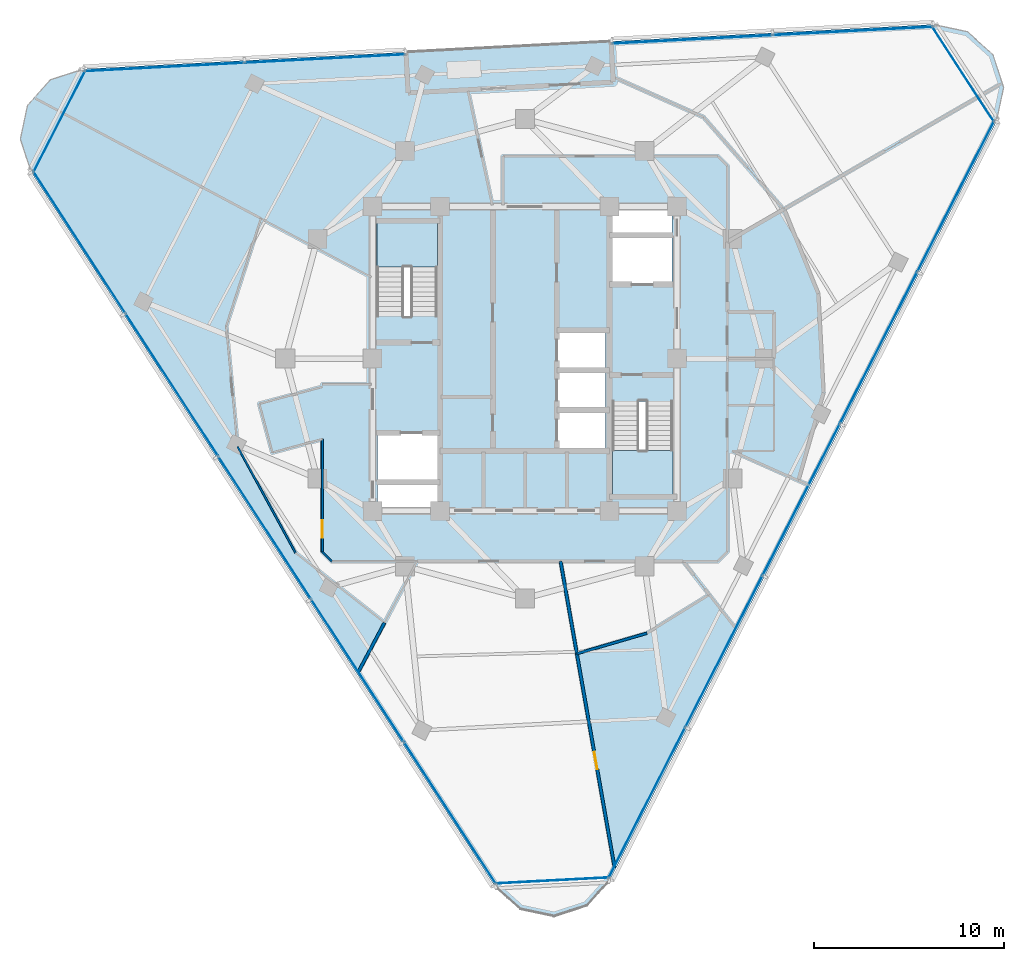
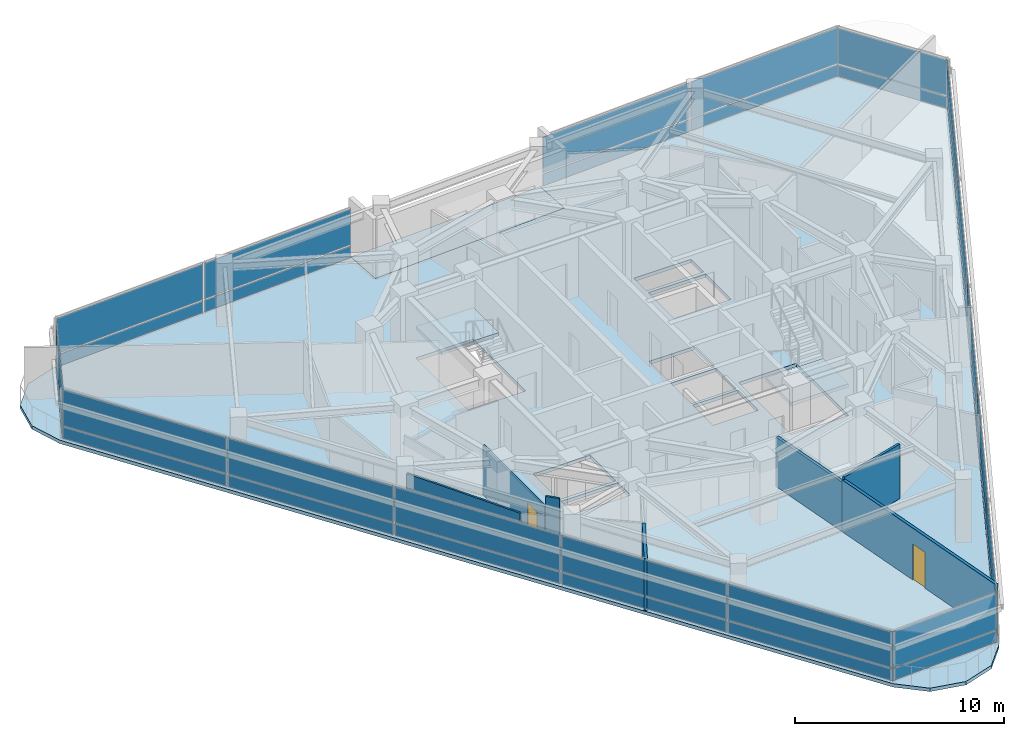
# One storey, part 7 of 15: 34 plates, 7 walls, 4 slabs, 2 doors, 2 openings, 9 elements without a shape of their own.
"""IFC4 building model written with IfcOpenShell, lengths in metres."""

import ifcopenshell
import ifcopenshell.guid

model = None  # the IFC model being written
_history = None  # IfcOwnerHistory: only IFC2X3 demands one
_inside = {}  # id of a spatial element -> (the spatial element, [elements in it])
_under = {}  # id of a project, library or spatial element -> (it, [spatial elements below it])
_declared = {}  # id of a project -> (the project, [libraries it declares])
_typed = {}  # id of a type object -> (the type object, [elements of that type])
_made_of = {}  # id of a material, layer set ... -> (it, [elements and type objects made of it])


def new_model(schema):
    """Start an empty IFC model of exactly this schema.

    Asked for "IFC4X3", IfcOpenShell would pick the latest addendum, in which some entities
    have other attributes; the version numbers below select the first issue.
    IFC2X3 requires an IfcOwnerHistory on every rooted entity: one is made here for all.
    """
    global model, _history
    if schema == "IFC4X3":
        model = ifcopenshell.file(schema_version=(4, 3, 0, 0))
    else:
        model = ifcopenshell.file(schema=schema)
    _inside.clear()
    _under.clear()
    _declared.clear()
    _typed.clear()
    _made_of.clear()
    _history = None
    if model.schema == "IFC2X3":
        org = make("IfcOrganization", Name="unknown")
        user = make(
            "IfcPersonAndOrganization",
            ThePerson=make("IfcPerson", FamilyName="unknown"),
            TheOrganization=org,
        )
        app = make(
            "IfcApplication",
            ApplicationDeveloper=org,
            Version="unknown",
            ApplicationFullName="unknown",
            ApplicationIdentifier="unknown",
        )
        _history = make(
            "IfcOwnerHistory",
            OwningUser=user,
            OwningApplication=app,
            ChangeAction="ADDED",
            CreationDate=0,
        )
    return model


def make(cls, **values):
    """One entity of the class cls with the attributes given. An attribute that is None is left unset."""
    return model.create_entity(
        cls, **{name: value for name, value in values.items() if value is not None}
    )


def rooted(cls, **values):
    """An entity with a GlobalId (a new one), such as an element, a storey or a relation."""
    return make(cls, GlobalId=ifcopenshell.guid.new(), OwnerHistory=_history, **values)


def si_unit(unit_type, name, prefix=None):
    """IfcSIUnit, for example si_unit("LENGTHUNIT", "METRE", prefix="MILLI")."""
    return make("IfcSIUnit", UnitType=unit_type, Prefix=prefix, Name=name)


def assignment(units):
    """IfcUnitAssignment: the units of a project."""
    return None if units is None else make("IfcUnitAssignment", Units=units)


def point(xyz):
    """IfcCartesianPoint."""
    return None if xyz is None else make("IfcCartesianPoint", Coordinates=xyz)


def direction(xyz):
    """IfcDirection."""
    return None if xyz is None else make("IfcDirection", DirectionRatios=xyz)


def frame(location, z_axis=None, x_axis=None):
    """IfcAxis2Placement3D, a coordinate frame: its origin and axes. An axis left out is left unset."""
    return make(
        "IfcAxis2Placement3D",
        Location=point(location),
        Axis=direction(z_axis),
        RefDirection=direction(x_axis),
    )


def frame_2d(location, x_axis=None):
    """IfcAxis2Placement2D, a coordinate frame in the plane: its origin and x axis."""
    return make(
        "IfcAxis2Placement2D", Location=point(location), RefDirection=direction(x_axis)
    )


def origin():
    """The frame at (0, 0, 0) with its axes left unset."""
    return frame((0.0, 0.0, 0.0))


def origin_2d():
    """The frame at (0, 0) in the plane with its x axis left unset."""
    return frame_2d((0.0, 0.0))


def place(relative_to, where):
    """IfcLocalPlacement: puts the frame where relative to a parent placement (None: the world)."""
    return make(
        "IfcLocalPlacement", PlacementRelTo=relative_to, RelativePlacement=where
    )


def context(
    kind, dimensions, precision=None, world=None, true_north=None, identifier=None
):
    """IfcGeometricRepresentationContext, for example the 3D "Model" context."""
    return make(
        "IfcGeometricRepresentationContext",
        ContextIdentifier=identifier,
        ContextType=kind,
        CoordinateSpaceDimension=dimensions,
        Precision=precision,
        WorldCoordinateSystem=world,
        TrueNorth=true_north,
    )


def subcontext(parent, identifier, kind, view, scale=None):
    """IfcGeometricRepresentationSubContext, for example "Body" below "Model"."""
    return make(
        "IfcGeometricRepresentationSubContext",
        ContextIdentifier=identifier,
        ContextType=kind,
        ParentContext=parent,
        TargetScale=scale,
        TargetView=view,
    )


def project(units=None, contexts=None):
    """IfcProject with its units and contexts."""
    return rooted(
        "IfcProject",
        Name="project",
        RepresentationContexts=contexts,
        UnitsInContext=assignment(units),
    )


def spatial(cls, under=None, at=None, **own):
    """A site, building, storey or space (cls), placed at a placement, below another one or the project."""
    s = rooted(cls, ObjectPlacement=at, **own)
    if under is not None:
        _under.setdefault(under.id(), (under, []))[1].append(s)
    return s


def polyline(points):
    """IfcPolyline through the points."""
    return make("IfcPolyline", Points=[point(p) for p in points])


def profile(cls, at=None, kind="AREA", **sizes):
    """A parametric profile (cls). Its sizes go by their IFC names, for example OverallWidth=200.0."""
    return make(cls, ProfileType=kind, Position=at, **sizes)


def rectangle(**sizes):
    """IfcRectangleProfileDef."""
    return profile("IfcRectangleProfileDef", **sizes)


def outline(outer, holes=None, kind="AREA"):
    """IfcArbitraryClosedProfileDef: a profile drawn as a closed curve; with holes, ...WithVoids."""
    if holes is None:
        return make("IfcArbitraryClosedProfileDef", ProfileType=kind, OuterCurve=outer)
    return make(
        "IfcArbitraryProfileDefWithVoids",
        ProfileType=kind,
        OuterCurve=outer,
        InnerCurves=holes,
    )


def extrude(swept, where, along, depth):
    """IfcExtrudedAreaSolid: the profile swept, set in the frame where, extruded along a direction by depth."""
    return make(
        "IfcExtrudedAreaSolid",
        SweptArea=swept,
        Position=where,
        ExtrudedDirection=direction(along),
        Depth=depth,
    )


def shape(context_of_items, identifier, shape_type, items):
    """IfcShapeRepresentation: the items that make up one representation, for example the "Body"."""
    return make(
        "IfcShapeRepresentation",
        ContextOfItems=context_of_items,
        RepresentationIdentifier=identifier,
        RepresentationType=shape_type,
        Items=items,
    )


def material(Name=None, Category=None):
    """IfcMaterial."""
    return make("IfcMaterial", Name=Name, Category=Category)


def layer(
    of_material, thickness, ventilated=None, Name=None, Category=None, Priority=None
):
    """IfcMaterialLayer: one layer of a wall or slab, of a material (None: an air gap)."""
    return make(
        "IfcMaterialLayer",
        Material=of_material,
        LayerThickness=thickness,
        IsVentilated=ventilated,
        Name=Name,
        Category=Category,
        Priority=Priority,
    )


def layer_set(layers, Name=None):
    """IfcMaterialLayerSet."""
    return make("IfcMaterialLayerSet", MaterialLayers=layers, LayerSetName=Name)


def made_of(thing, what):
    """Note that an element or type object is made of a material, layer set ...; save() writes the relation."""
    if what is not None:
        _made_of.setdefault(what.id(), (what, []))[1].append(thing)
    return thing


def type_object(cls, material=None, **own):
    """A type object (cls), such as IfcWallType, which elements share."""
    return made_of(rooted(cls, **own), material)


def element(
    cls,
    number,
    at=None,
    inside=None,
    cuts=None,
    type_object=None,
    material=None,
    context=None,
    identifier="Body",
    shape_type=None,
    held_by="IfcProductDefinitionShape",
    body=None,
    shapes=None,
    **own,
):
    """One element of the class cls, such as IfcWall. Its Tag is "e" and its number.

    at: its placement. inside: the storey or other place that contains it. cuts: it is an
    opening in that element (IfcRelVoidsElement). A single representation is given by context,
    identifier, shape_type and body (its items); several are given by shapes. held_by: the class
    of the entity that holds the representations. save() writes the other relations.
    """
    e = rooted(cls, Tag="e%d" % number, ObjectPlacement=at, **own)
    if body is not None:
        shapes = [shape(context, identifier, shape_type, body)]
    if shapes is not None:
        e.Representation = make(held_by, Representations=shapes)
    if inside is not None:
        _inside.setdefault(inside.id(), (inside, []))[1].append(e)
    if cuts is not None:
        rooted(
            "IfcRelVoidsElement", RelatingBuildingElement=cuts, RelatedOpeningElement=e
        )
    if type_object is not None:
        _typed.setdefault(type_object.id(), (type_object, []))[1].append(e)
    return made_of(e, material)


def fill(opening, filler):
    """IfcRelFillsElement: the door or window that sits in an opening."""
    return rooted(
        "IfcRelFillsElement",
        RelatingOpeningElement=opening,
        RelatedBuildingElement=filler,
    )


def aggregate(whole, parts):
    """IfcRelAggregates: a whole, such as a stair, and the parts it consists of."""
    return rooted("IfcRelAggregates", RelatingObject=whole, RelatedObjects=parts)


def save(model, path):
    """Write the relations noted so far, then the file.

    IfcRelAggregates (storeys below a building ...), IfcRelContainedInSpatialStructure (elements
    in a storey), IfcRelDefinesByType, IfcRelAssociatesMaterial and IfcRelDeclares: one each for
    every whole, place, type object, material and project.
    """
    for whole, parts in _under.values():
        aggregate(whole, parts)
    for where, things in _inside.values():
        rooted(
            "IfcRelContainedInSpatialStructure",
            RelatedElements=things,
            RelatingStructure=where,
        )
    for kind, things in _typed.values():
        rooted("IfcRelDefinesByType", RelatedObjects=things, RelatingType=kind)
    for what, things in _made_of.values():
        rooted("IfcRelAssociatesMaterial", RelatedObjects=things, RelatingMaterial=what)
    for by, libraries in _declared.values():
        rooted("IfcRelDeclares", RelatingContext=by, RelatedDefinitions=libraries)
    model.write(path)


model = new_model("IFC4")

# Units and contexts
model_context = context("Model", 3, precision=1e-05, world=origin(), true_north=direction((0.0, 1.0)))
body_context = subcontext(model_context, "Body", "Model", "MODEL_VIEW")
ifc_project = project(units=[si_unit("LENGTHUNIT", "METRE"), si_unit("AREAUNIT", "SQUARE_METRE"), si_unit("VOLUMEUNIT", "CUBIC_METRE"), si_unit("PLANEANGLEUNIT", "RADIAN"), si_unit("MASSUNIT", "GRAM", prefix="KILO")], contexts=[model_context])

# Site, building, storey
site_placement = place(None, origin())
site = spatial("IfcSite", under=ifc_project, at=site_placement, CompositionType="ELEMENT")
building_placement = place(site_placement, origin())
building = spatial("IfcBuilding", under=site, at=building_placement, Name="Terralouvre Media Tower", CompositionType="ELEMENT")
storey_placement = place(building_placement, frame((0.0, 0.0, 270.699951171875)))
storey = spatial("IfcBuildingStorey", under=building, at=storey_placement, Name="L70", CompositionType="ELEMENT", Elevation=270.699951171875)

# Slabs
ifc_material_1 = material(Name="Concrete C40/50", Category="concrete")
ifc_layer_1 = layer(ifc_material_1, 0.199951171875, Name="Composite Tower Floor Slab S-TYP200")
ifc_layer_set_1 = layer_set([ifc_layer_1], Name="Concrete C40/50")
slab_type_1 = type_object("IfcSlabType", Name="Composite Tower Floor Slab S-TYP200", PredefinedType="FLOOR", material=ifc_layer_set_1)
slab_1_placement = place(storey_placement, frame((0.0, 0.0, -0.199951171875), z_axis=(0.0, 0.0, 1.0), x_axis=(0.45399049974, 0.891006524188, 0.0)))
element("IfcSlab", 1, at=slab_1_placement, inside=storey, type_object=slab_type_1, Name="L70 Structural Floor Slab", PredefinedType="FLOOR", context=body_context, shape_type="SweptSolid", body=[
    extrude(outline(polyline([(25.43115234375, -11.1826171875), (16.93115234375, 3.539794921875), (15.069091796875, 2.46484375), (9.669189453125, 11.81787109375), (11.531005859375, 12.892822265625), (3.031005859375, 27.615234375), (1.75, 28.896484375), (0.0, 29.365234375), (-1.75, 28.896484375), (-3.031005859375, 27.615234375), (-25.43115234375, -11.1826171875), (-25.89990234375, -12.9326171875), (-25.43115234375, -14.6826171875), (-24.14990234375, -15.963623046875), (-22.39990234375, -16.4326171875), (22.39990234375, -16.4326171875), (24.14990234375, -15.963623046875), (25.43115234375, -14.6826171875), (25.89990234375, -12.9326171875), (25.43115234375, -11.1826171875)]), holes=[polyline([(-7.968994140625, 1.102294921875), (-9.0380859375, 0.5576171875), (-10.46826171875, 3.3642578125), (-9.399169921875, 3.908935546875), (-7.968994140625, 1.102294921875)]), polyline([(-5.60791015625, 2.305419921875), (-7.790771484375, 1.193115234375), (-9.220947265625, 3.999755859375), (-7.037841796875, 5.112060546875), (-5.60791015625, 2.305419921875)]), polyline([(-4.38037109375, -7.39453125), (0.088134765625, -5.117919921875), (1.53173828125, -7.951171875), (-2.936767578125, -10.22802734375), (-4.38037109375, -7.39453125)]), polyline([(-0.547607421875, -5.048828125), (-2.276123046875, -5.9296875), (-3.4111328125, -3.7021484375), (-1.6826171875, -2.8212890625), (-0.547607421875, -5.048828125)]), polyline([(1.323486328125, -4.095458984375), (-0.405029296875, -4.976318359375), (-1.5400390625, -2.748779296875), (0.188720703125, -1.867919921875), (1.323486328125, -4.095458984375)]), polyline([(3.194580078125, -3.14208984375), (1.466064453125, -4.02294921875), (0.3310546875, -1.79541015625), (2.059814453125, -0.91455078125), (3.194580078125, -3.14208984375)]), polyline([(4.38037109375, 7.39453125), (-0.088134765625, 5.117919921875), (-1.53173828125, 7.951171875), (2.936767578125, 10.22802734375), (4.38037109375, 7.39453125)]), polyline([(7.037841796875, -5.112060546875), (5.60791015625, -2.305419921875), (7.790771484375, -1.193115234375), (9.220947265625, -3.999755859375), (7.037841796875, -5.112060546875)]), polyline([(9.399169921875, -3.908935546875), (7.968994140625, -1.102294921875), (9.0380859375, -0.5576171875), (10.46826171875, -3.3642578125), (9.399169921875, -3.908935546875)])]), origin(), (0.0, 0.0, 1.0), 0.199951171875),
])
ifc_material_2 = material(Name="Concrete C45/55", Category="concrete")
ifc_layer_2 = layer(ifc_material_2, 0.2099609375, Name="Planted Sky-Garden External Deck S-TER210")
ifc_layer_set_2 = layer_set([ifc_layer_2], Name="Concrete C45/55")
slab_type_2 = type_object("IfcSlabType", Name="Planted Sky-Garden External Deck S-TER210", PredefinedType="FLOOR", material=ifc_layer_set_2)
slab_2_placement = place(storey_placement, frame((0.0, 0.0, -0.2099609375), z_axis=(0.0, 0.0, 1.0), x_axis=(0.45399049974, 0.891006524188, 0.0)))
element("IfcSlab", 2, at=slab_2_placement, inside=storey, type_object=slab_type_2, Name="L70 Helical Planted Sky-Garden Deck 14", PredefinedType="FLOOR", context=body_context, shape_type="SweptSolid", body=[
    extrude(outline(polyline([(16.93115234375, 3.539794921875), (11.531005859375, 12.892822265625), (9.669189453125, 11.81787109375), (15.069091796875, 2.46484375), (16.93115234375, 3.539794921875)])), origin(), (0.0, 0.0, 1.0), 0.2099609375),
])

# Stair, slab
ifc_material_3 = material(Name="Concrete C45/55", Category="concrete")
stair_type_1 = type_object("IfcStairType", Name="Dogleg Stair Assembly ST-01", PredefinedType="HALF_TURN_STAIR", material=ifc_material_3)
stair_1_placement = place(storey_placement, origin())
stair_1 = element("IfcStair", 3, at=stair_1_placement, inside=storey, type_object=stair_type_1, Name="L70 Core Pressurised Exit Stair ST-01", PredefinedType="HALF_TURN_STAIR")
ifc_material_4 = material(Name="Concrete C45/55", Category="concrete")
ifc_layer_3 = layer(ifc_material_4, 0.199951171875, Name="Reinforced Concrete Stair Half-Landing SL-LD1")
ifc_layer_set_3 = layer_set([ifc_layer_3], Name="Concrete C45/55")
slab_type_3 = type_object("IfcSlabType", Name="Reinforced Concrete Stair Half-Landing SL-LD1", PredefinedType="LANDING", material=ifc_layer_set_3)
slab_3_placement = place(storey_placement, frame((0.0, 0.0, 1.650146484375)))
slab_3 = element("IfcSlab", 4, at=slab_3_placement, type_object=slab_type_3, Name="ST-01 landing 1", PredefinedType="LANDING", context=body_context, shape_type="SweptSolid", body=[
    extrude(outline(polyline([(-4.60009765625, 4.820068359375), (-4.60009765625, 7.260009765625), (-7.780029296875, 7.260009765625), (-7.780029296875, 4.820068359375), (-4.60009765625, 4.820068359375)])), origin(), (0.0, 0.0, 1.0), 0.199951171875),
])
aggregate(stair_1, [slab_3])

ifc_material_5 = material(Name="Concrete C45/55", Category="concrete")
stair_type_2 = type_object("IfcStairType", Name="Dogleg Stair Assembly ST-02", PredefinedType="HALF_TURN_STAIR", material=ifc_material_5)
stair_2_placement = place(storey_placement, origin())
stair_2 = element("IfcStair", 5, at=stair_2_placement, inside=storey, type_object=stair_type_2, Name="L70 Core Pressurised Exit Stair ST-02", PredefinedType="HALF_TURN_STAIR")
slab_4_placement = place(storey_placement, frame((0.0, 0.0, 1.650146484375)))
slab_4 = element("IfcSlab", 6, at=slab_4_placement, type_object=slab_type_3, Name="ST-02 landing 1", PredefinedType="LANDING", context=body_context, shape_type="SweptSolid", body=[
    extrude(outline(polyline([(4.60009765625, -4.820068359375), (4.60009765625, -7.260009765625), (7.780029296875, -7.260009765625), (7.780029296875, -4.820068359375), (4.60009765625, -4.820068359375)])), origin(), (0.0, 0.0, 1.0), 0.199951171875),
])
aggregate(stair_2, [slab_4])

# Curtain wall, plates
ifc_material_6 = material(Name="Low-iron laminated double glazing with solar-control coating", Category="glass")
ifc_layer_4 = layer(ifc_material_6, 0.1650390625, Name="Rounded Wind-Corner Curved Glazing CW-04")
ifc_layer_set_4 = layer_set([ifc_layer_4], Name="Low-iron laminated double glazing with solar-control coating")
curtain_wall_type_1 = type_object("IfcCurtainWallType", Name="Rounded Wind-Corner Curved Glazing CW-04", PredefinedType="NOTDEFINED", material=ifc_layer_set_4)
curtain_wall_1_placement = place(storey_placement, origin())
curtain_wall_1 = element("IfcCurtainWall", 7, at=curtain_wall_1_placement, inside=storey, type_object=curtain_wall_type_1, Name="L70 Rounded Wind-Corner Curtain Wall C0", PredefinedType="NOTDEFINED")
ifc_material_7 = material(Name="Low-iron laminated double glazing with solar-control coating", Category="glass")
ifc_layer_5 = layer(ifc_material_7, 0.0400390625, Name="Rounded Corner Laminated Vision Panel CWP-03")
ifc_layer_set_5 = layer_set([ifc_layer_5], Name="Low-iron laminated double glazing with solar-control coating")
plate_type_1 = type_object("IfcPlateType", Name="Rounded Corner Laminated Vision Panel CWP-03", PredefinedType="CURTAIN_PANEL", material=ifc_layer_set_5)
plate_1_placement = place(storey_placement, frame((1.43798828125, -27.437744140625, 0.074951171875), z_axis=(0.0, 0.0, 1.0), x_axis=(0.998629533744, 0.05233597552, 0.0)))
plate_1 = element("IfcPlate", 8, at=plate_1_placement, type_object=plate_type_1, Name="CW-04 panel 1.1", PredefinedType="CURTAIN_PANEL", context=body_context, shape_type="SweptSolid", body=[
    extrude(rectangle(XDim=5.912109375, YDim=0.035888671875, at=origin_2d()), origin(), (0.0, 0.0, 1.0), 0.6875),
])
plate_2_placement = place(storey_placement, frame((1.43798828125, -27.437744140625, 0.837646484375), z_axis=(0.0, 0.0, 1.0), x_axis=(0.998629533744, 0.05233597552, 0.0)))
plate_2 = element("IfcPlate", 9, at=plate_2_placement, type_object=plate_type_1, Name="CW-04 panel 1.2", PredefinedType="CURTAIN_PANEL", context=body_context, shape_type="SweptSolid", body=[
    extrude(rectangle(XDim=5.912109375, YDim=0.035888671875, at=origin_2d()), origin(), (0.0, 0.0, 1.0), 2.08740234375),
])
aggregate(curtain_wall_1, [plate_1, plate_2])

curtain_wall_2_placement = place(storey_placement, origin())
curtain_wall_2 = element("IfcCurtainWall", 10, at=curtain_wall_2_placement, inside=storey, type_object=curtain_wall_type_1, Name="L70 Rounded Wind-Corner Curtain Wall C1", PredefinedType="NOTDEFINED")
plate_3_placement = place(storey_placement, frame((23.042724609375, 14.964111328125, 0.074951171875), z_axis=(0.0, 0.0, 1.0), x_axis=(-0.544639197097, 0.838670462688, 0.0)))
plate_3 = element("IfcPlate", 11, at=plate_3_placement, type_object=plate_type_1, Name="CW-04 panel 1.1", PredefinedType="CURTAIN_PANEL", context=body_context, shape_type="SweptSolid", body=[
    extrude(rectangle(XDim=5.912109375, YDim=0.035888671875, at=origin_2d()), origin(), (0.0, 0.0, 1.0), 0.6875),
])
plate_4_placement = place(storey_placement, frame((23.042724609375, 14.964111328125, 0.837646484375), z_axis=(0.0, 0.0, 1.0), x_axis=(-0.544639197097, 0.838670462688, 0.0)))
plate_4 = element("IfcPlate", 12, at=plate_4_placement, type_object=plate_type_1, Name="CW-04 panel 1.2", PredefinedType="CURTAIN_PANEL", context=body_context, shape_type="SweptSolid", body=[
    extrude(rectangle(XDim=5.912109375, YDim=0.035888671875, at=origin_2d()), origin(), (0.0, 0.0, 1.0), 2.08740234375),
])
aggregate(curtain_wall_2, [plate_3, plate_4])

curtain_wall_3_placement = place(storey_placement, origin())
curtain_wall_3 = element("IfcCurtainWall", 13, at=curtain_wall_3_placement, inside=storey, type_object=curtain_wall_type_1, Name="L70 Rounded Wind-Corner Curtain Wall C2", PredefinedType="NOTDEFINED")
plate_5_placement = place(storey_placement, frame((-24.480712890625, 12.4736328125, 0.074951171875), z_axis=(0.0, 0.0, 1.0), x_axis=(-0.453990349937, -0.891006600517, 0.0)))
plate_5 = element("IfcPlate", 14, at=plate_5_placement, type_object=plate_type_1, Name="CW-04 panel 1.1", PredefinedType="CURTAIN_PANEL", context=body_context, shape_type="SweptSolid", body=[
    extrude(rectangle(XDim=5.912109375, YDim=0.035888671875, at=origin_2d()), origin(), (0.0, 0.0, 1.0), 0.6875),
])
plate_6_placement = place(storey_placement, frame((-24.480712890625, 12.4736328125, 0.837646484375), z_axis=(0.0, 0.0, 1.0), x_axis=(-0.453990349937, -0.891006600517, 0.0)))
plate_6 = element("IfcPlate", 15, at=plate_6_placement, type_object=plate_type_1, Name="CW-04 panel 1.2", PredefinedType="CURTAIN_PANEL", context=body_context, shape_type="SweptSolid", body=[
    extrude(rectangle(XDim=5.912109375, YDim=0.035888671875, at=origin_2d()), origin(), (0.0, 0.0, 1.0), 2.08740234375),
])
aggregate(curtain_wall_3, [plate_5, plate_6])

ifc_material_8 = material(Name="Low-iron laminated double glazing with solar-control coating", Category="glass")
ifc_layer_6 = layer(ifc_material_8, 0.1650390625, Name="Upper Executive Tower Curtain Wall CW-05")
ifc_layer_set_6 = layer_set([ifc_layer_6], Name="Low-iron laminated double glazing with solar-control coating")
curtain_wall_type_2 = type_object("IfcCurtainWallType", Name="Upper Executive Tower Curtain Wall CW-05", PredefinedType="NOTDEFINED", material=ifc_layer_set_6)
curtain_wall_4_placement = place(storey_placement, origin())
curtain_wall_4 = element("IfcCurtainWall", 16, at=curtain_wall_4_placement, inside=storey, type_object=curtain_wall_type_2, Name="L70 Facade Curtain Wall F0", PredefinedType="NOTDEFINED")
ifc_material_9 = material(Name="Low-iron laminated double glazing with solar-control coating", Category="glass")
ifc_layer_7 = layer(ifc_material_9, 0.035888671875, Name="Vision Double-Glazed Unit CWP-01")
ifc_layer_set_7 = layer_set([ifc_layer_7], Name="Low-iron laminated double glazing with solar-control coating")
plate_type_2 = type_object("IfcPlateType", Name="Vision Double-Glazed Unit CWP-01", PredefinedType="CURTAIN_PANEL", material=ifc_layer_set_7)
plate_7_placement = place(storey_placement, frame((6.40771484375, -23.35595703125, 0.074951171875), z_axis=(0.0, 0.0, 1.0), x_axis=(0.45399044259, 0.891006553308, 0.0)))
plate_7 = element("IfcPlate", 17, at=plate_7_placement, type_object=plate_type_2, Name="CW-05 panel 1.1", PredefinedType="CURTAIN_PANEL", context=body_context, shape_type="SweptSolid", body=[
    extrude(rectangle(XDim=8.847412109375, YDim=0.035888671875, at=origin_2d()), origin(), (0.0, 0.0, 1.0), 0.6875),
])
plate_8_placement = place(storey_placement, frame((6.40771484375, -23.35595703125, 0.837646484375), z_axis=(0.0, 0.0, 1.0), x_axis=(0.45399044259, 0.891006553308, 0.0)))
plate_8 = element("IfcPlate", 18, at=plate_8_placement, type_object=plate_type_2, Name="CW-05 panel 1.2", PredefinedType="CURTAIN_PANEL", context=body_context, shape_type="SweptSolid", body=[
    extrude(rectangle(XDim=8.847412109375, YDim=0.035888671875, at=origin_2d()), origin(), (0.0, 0.0, 1.0), 2.08740234375),
])
plate_9_placement = place(storey_placement, frame((10.467041015625, -15.38916015625, 0.074951171875), z_axis=(0.0, 0.0, 1.0), x_axis=(0.45399044259, 0.891006553308, 0.0)))
plate_9 = element("IfcPlate", 19, at=plate_9_placement, type_object=plate_type_2, Name="CW-05 panel 2.1", PredefinedType="CURTAIN_PANEL", context=body_context, shape_type="SweptSolid", body=[
    extrude(rectangle(XDim=8.885009765625, YDim=0.035888671875, at=origin_2d()), origin(), (0.0, 0.0, 1.0), 0.6875),
])
plate_10_placement = place(storey_placement, frame((10.467041015625, -15.38916015625, 0.837646484375), z_axis=(0.0, 0.0, 1.0), x_axis=(0.45399044259, 0.891006553308, 0.0)))
plate_10 = element("IfcPlate", 20, at=plate_10_placement, type_object=plate_type_2, Name="CW-05 panel 2.2", PredefinedType="CURTAIN_PANEL", context=body_context, shape_type="SweptSolid", body=[
    extrude(rectangle(XDim=8.885009765625, YDim=0.035888671875, at=origin_2d()), origin(), (0.0, 0.0, 1.0), 2.08740234375),
])
plate_11_placement = place(storey_placement, frame((14.53466796875, -7.40576171875, 0.074951171875), z_axis=(0.0, 0.0, 1.0), x_axis=(0.45399044259, 0.891006553308, 0.0)))
plate_11 = element("IfcPlate", 21, at=plate_11_placement, type_object=plate_type_2, Name="CW-05 panel 3.1", PredefinedType="CURTAIN_PANEL", context=body_context, shape_type="SweptSolid", body=[
    extrude(rectangle(XDim=8.885009765625, YDim=0.035888671875, at=origin_2d()), origin(), (0.0, 0.0, 1.0), 0.6875),
])
plate_12_placement = place(storey_placement, frame((14.53466796875, -7.40576171875, 0.837646484375), z_axis=(0.0, 0.0, 1.0), x_axis=(0.45399044259, 0.891006553308, 0.0)))
plate_12 = element("IfcPlate", 22, at=plate_12_placement, type_object=plate_type_2, Name="CW-05 panel 3.2", PredefinedType="CURTAIN_PANEL", context=body_context, shape_type="SweptSolid", body=[
    extrude(rectangle(XDim=8.885009765625, YDim=0.035888671875, at=origin_2d()), origin(), (0.0, 0.0, 1.0), 2.08740234375),
])
plate_13_placement = place(storey_placement, frame((18.6025390625, 0.57763671875, 0.074951171875), z_axis=(0.0, 0.0, 1.0), x_axis=(0.45399044259, 0.891006553308, 0.0)))
plate_13 = element("IfcPlate", 23, at=plate_13_placement, type_object=plate_type_2, Name="CW-05 panel 4.1", PredefinedType="CURTAIN_PANEL", context=body_context, shape_type="SweptSolid", body=[
    extrude(rectangle(XDim=8.885009765625, YDim=0.035888671875, at=origin_2d()), origin(), (0.0, 0.0, 1.0), 0.6875),
])
plate_14_placement = place(storey_placement, frame((18.6025390625, 0.57763671875, 0.837646484375), z_axis=(0.0, 0.0, 1.0), x_axis=(0.45399044259, 0.891006553308, 0.0)))
plate_14 = element("IfcPlate", 24, at=plate_14_placement, type_object=plate_type_2, Name="CW-05 panel 4.2", PredefinedType="CURTAIN_PANEL", context=body_context, shape_type="SweptSolid", body=[
    extrude(rectangle(XDim=8.885009765625, YDim=0.035888671875, at=origin_2d()), origin(), (0.0, 0.0, 1.0), 2.08740234375),
])
plate_15_placement = place(storey_placement, frame((22.66162109375, 8.54443359375, 0.074951171875), z_axis=(0.0, 0.0, 1.0), x_axis=(0.45399044259, 0.891006553308, 0.0)))
plate_15 = element("IfcPlate", 25, at=plate_15_placement, type_object=plate_type_2, Name="CW-05 panel 5.1", PredefinedType="CURTAIN_PANEL", context=body_context, shape_type="SweptSolid", body=[
    extrude(rectangle(XDim=8.847412109375, YDim=0.035888671875, at=origin_2d()), origin(), (0.0, 0.0, 1.0), 0.6875),
])
plate_16_placement = place(storey_placement, frame((22.66162109375, 8.54443359375, 0.837646484375), z_axis=(0.0, 0.0, 1.0), x_axis=(0.45399044259, 0.891006553308, 0.0)))
plate_16 = element("IfcPlate", 26, at=plate_16_placement, type_object=plate_type_2, Name="CW-05 panel 5.2", PredefinedType="CURTAIN_PANEL", context=body_context, shape_type="SweptSolid", body=[
    extrude(rectangle(XDim=8.847412109375, YDim=0.035888671875, at=origin_2d()), origin(), (0.0, 0.0, 1.0), 2.08740234375),
])
aggregate(curtain_wall_4, [plate_7, plate_8, plate_9, plate_10, plate_11, plate_12, plate_13, plate_14, plate_15, plate_16])

curtain_wall_5_placement = place(storey_placement, origin())
curtain_wall_5 = element("IfcCurtainWall", 27, at=curtain_wall_5_placement, inside=storey, type_object=curtain_wall_type_2, Name="L70 Left Flank Curtain Wall F1", PredefinedType="NOTDEFINED")
plate_17_placement = place(storey_placement, frame((17.252685546875, 17.2392578125, 0.074951171875), z_axis=(0.0, 0.0, 1.0), x_axis=(-0.998629509147, -0.052336444858, 0.0)))
plate_17 = element("IfcPlate", 28, at=plate_17_placement, type_object=plate_type_2, Name="CW-05 panel 1.1", PredefinedType="CURTAIN_PANEL", context=body_context, shape_type="SweptSolid", body=[
    extrude(rectangle(XDim=8.387451171875, YDim=0.035888671875, at=origin_2d()), origin(), (0.0, 0.0, 1.0), 0.6875),
])
plate_18_placement = place(storey_placement, frame((17.252685546875, 17.2392578125, 0.837646484375), z_axis=(0.0, 0.0, 1.0), x_axis=(-0.998629509147, -0.052336444858, 0.0)))
plate_18 = element("IfcPlate", 29, at=plate_18_placement, type_object=plate_type_2, Name="CW-05 panel 1.2", PredefinedType="CURTAIN_PANEL", context=body_context, shape_type="SweptSolid", body=[
    extrude(rectangle(XDim=8.387451171875, YDim=0.035888671875, at=origin_2d()), origin(), (0.0, 0.0, 1.0), 2.08740234375),
])
plate_19_placement = place(storey_placement, frame((8.8017578125, 16.79638671875, 0.074951171875), z_axis=(0.0, 0.0, 1.0), x_axis=(-0.998629509147, -0.052336444858, 0.0)))
plate_19 = element("IfcPlate", 30, at=plate_19_placement, type_object=plate_type_2, Name="CW-05 panel 2.1", PredefinedType="CURTAIN_PANEL", context=body_context, shape_type="SweptSolid", body=[
    extrude(rectangle(XDim=8.387451171875, YDim=0.035888671875, at=origin_2d()), origin(), (0.0, 0.0, 1.0), 0.6875),
])
plate_20_placement = place(storey_placement, frame((8.8017578125, 16.79638671875, 0.837646484375), z_axis=(0.0, 0.0, 1.0), x_axis=(-0.998629509147, -0.052336444858, 0.0)))
plate_20 = element("IfcPlate", 31, at=plate_20_placement, type_object=plate_type_2, Name="CW-05 panel 2.2", PredefinedType="CURTAIN_PANEL", context=body_context, shape_type="SweptSolid", body=[
    extrude(rectangle(XDim=8.387451171875, YDim=0.035888671875, at=origin_2d()), origin(), (0.0, 0.0, 1.0), 2.08740234375),
])
aggregate(curtain_wall_5, [plate_17, plate_18, plate_19, plate_20])

curtain_wall_6_placement = place(storey_placement, origin())
curtain_wall_6 = element("IfcCurtainWall", 32, at=curtain_wall_6_placement, inside=storey, type_object=curtain_wall_type_2, Name="L70 Right Flank Curtain Wall F1", PredefinedType="NOTDEFINED")
plate_21_placement = place(storey_placement, frame((-10.50927734375, 15.7841796875, 0.074951171875), z_axis=(0.0, 0.0, 1.0), x_axis=(-0.998629536668, -0.052335919728, 0.0)))
plate_21 = element("IfcPlate", 33, at=plate_21_placement, type_object=plate_type_2, Name="CW-05 panel 1.1", PredefinedType="CURTAIN_PANEL", context=body_context, shape_type="SweptSolid", body=[
    extrude(rectangle(XDim=8.387451171875, YDim=0.035888671875, at=origin_2d()), origin(), (0.0, 0.0, 1.0), 0.6875),
])
plate_22_placement = place(storey_placement, frame((-10.50927734375, 15.7841796875, 0.837646484375), z_axis=(0.0, 0.0, 1.0), x_axis=(-0.998629536668, -0.052335919728, 0.0)))
plate_22 = element("IfcPlate", 34, at=plate_22_placement, type_object=plate_type_2, Name="CW-05 panel 1.2", PredefinedType="CURTAIN_PANEL", context=body_context, shape_type="SweptSolid", body=[
    extrude(rectangle(XDim=8.387451171875, YDim=0.035888671875, at=origin_2d()), origin(), (0.0, 0.0, 1.0), 2.08740234375),
])
plate_23_placement = place(storey_placement, frame((-18.960205078125, 15.34130859375, 0.074951171875), z_axis=(0.0, 0.0, 1.0), x_axis=(-0.998629536668, -0.052335919728, 0.0)))
plate_23 = element("IfcPlate", 35, at=plate_23_placement, type_object=plate_type_2, Name="CW-05 panel 2.1", PredefinedType="CURTAIN_PANEL", context=body_context, shape_type="SweptSolid", body=[
    extrude(rectangle(XDim=8.387451171875, YDim=0.035888671875, at=origin_2d()), origin(), (0.0, 0.0, 1.0), 0.6875),
])
plate_24_placement = place(storey_placement, frame((-18.960205078125, 15.34130859375, 0.837646484375), z_axis=(0.0, 0.0, 1.0), x_axis=(-0.998629536668, -0.052335919728, 0.0)))
plate_24 = element("IfcPlate", 36, at=plate_24_placement, type_object=plate_type_2, Name="CW-05 panel 2.2", PredefinedType="CURTAIN_PANEL", context=body_context, shape_type="SweptSolid", body=[
    extrude(rectangle(XDim=8.387451171875, YDim=0.035888671875, at=origin_2d()), origin(), (0.0, 0.0, 1.0), 2.08740234375),
])
aggregate(curtain_wall_6, [plate_21, plate_22, plate_23, plate_24])

curtain_wall_7_placement = place(storey_placement, origin())
curtain_wall_7 = element("IfcCurtainWall", 37, at=curtain_wall_7_placement, inside=storey, type_object=curtain_wall_type_2, Name="L70 Facade Curtain Wall F2", PredefinedType="NOTDEFINED")
plate_25_placement = place(storey_placement, frame((-23.4306640625, 6.128662109375, 0.074951171875), z_axis=(0.0, 0.0, 1.0), x_axis=(0.544639069077, -0.838670545826, 0.0)))
plate_25 = element("IfcPlate", 38, at=plate_25_placement, type_object=plate_type_2, Name="CW-05 panel 1.1", PredefinedType="CURTAIN_PANEL", context=body_context, shape_type="SweptSolid", body=[
    extrude(rectangle(XDim=8.847412109375, YDim=0.035888671875, at=origin_2d()), origin(), (0.0, 0.0, 1.0), 0.6875),
])
plate_26_placement = place(storey_placement, frame((-23.4306640625, 6.128662109375, 0.837646484375), z_axis=(0.0, 0.0, 1.0), x_axis=(0.544639069077, -0.838670545826, 0.0)))
plate_26 = element("IfcPlate", 39, at=plate_26_placement, type_object=plate_type_2, Name="CW-05 panel 1.2", PredefinedType="CURTAIN_PANEL", context=body_context, shape_type="SweptSolid", body=[
    extrude(rectangle(XDim=8.847412109375, YDim=0.035888671875, at=origin_2d()), origin(), (0.0, 0.0, 1.0), 2.08740234375),
])
plate_27_placement = place(storey_placement, frame((-18.560791015625, -1.3701171875, 0.074951171875), z_axis=(0.0, 0.0, 1.0), x_axis=(0.544639069077, -0.838670545826, 0.0)))
plate_27 = element("IfcPlate", 40, at=plate_27_placement, type_object=plate_type_2, Name="CW-05 panel 2.1", PredefinedType="CURTAIN_PANEL", context=body_context, shape_type="SweptSolid", body=[
    extrude(rectangle(XDim=8.885009765625, YDim=0.035888671875, at=origin_2d()), origin(), (0.0, 0.0, 1.0), 0.6875),
])
plate_28_placement = place(storey_placement, frame((-18.560791015625, -1.3701171875, 0.837646484375), z_axis=(0.0, 0.0, 1.0), x_axis=(0.544639069077, -0.838670545826, 0.0)))
plate_28 = element("IfcPlate", 41, at=plate_28_placement, type_object=plate_type_2, Name="CW-05 panel 2.2", PredefinedType="CURTAIN_PANEL", context=body_context, shape_type="SweptSolid", body=[
    extrude(rectangle(XDim=8.885009765625, YDim=0.035888671875, at=origin_2d()), origin(), (0.0, 0.0, 1.0), 2.08740234375),
])
plate_29_placement = place(storey_placement, frame((-13.680908203125, -8.884521484375, 0.074951171875), z_axis=(0.0, 0.0, 1.0), x_axis=(0.544639069077, -0.838670545826, 0.0)))
plate_29 = element("IfcPlate", 42, at=plate_29_placement, type_object=plate_type_2, Name="CW-05 panel 3.1", PredefinedType="CURTAIN_PANEL", context=body_context, shape_type="SweptSolid", body=[
    extrude(rectangle(XDim=8.885009765625, YDim=0.035888671875, at=origin_2d()), origin(), (0.0, 0.0, 1.0), 0.6875),
])
plate_30_placement = place(storey_placement, frame((-13.680908203125, -8.884521484375, 0.837646484375), z_axis=(0.0, 0.0, 1.0), x_axis=(0.544639069077, -0.838670545826, 0.0)))
plate_30 = element("IfcPlate", 43, at=plate_30_placement, type_object=plate_type_2, Name="CW-05 panel 3.2", PredefinedType="CURTAIN_PANEL", context=body_context, shape_type="SweptSolid", body=[
    extrude(rectangle(XDim=8.885009765625, YDim=0.035888671875, at=origin_2d()), origin(), (0.0, 0.0, 1.0), 2.08740234375),
])
plate_31_placement = place(storey_placement, frame((-8.801025390625, -16.39892578125, 0.074951171875), z_axis=(0.0, 0.0, 1.0), x_axis=(0.544639069077, -0.838670545826, 0.0)))
plate_31 = element("IfcPlate", 44, at=plate_31_placement, type_object=plate_type_2, Name="CW-05 panel 4.1", PredefinedType="CURTAIN_PANEL", context=body_context, shape_type="SweptSolid", body=[
    extrude(rectangle(XDim=8.885009765625, YDim=0.035888671875, at=origin_2d()), origin(), (0.0, 0.0, 1.0), 0.6875),
])
plate_32_placement = place(storey_placement, frame((-8.801025390625, -16.39892578125, 0.837646484375), z_axis=(0.0, 0.0, 1.0), x_axis=(0.544639069077, -0.838670545826, 0.0)))
plate_32 = element("IfcPlate", 45, at=plate_32_placement, type_object=plate_type_2, Name="CW-05 panel 4.2", PredefinedType="CURTAIN_PANEL", context=body_context, shape_type="SweptSolid", body=[
    extrude(rectangle(XDim=8.885009765625, YDim=0.035888671875, at=origin_2d()), origin(), (0.0, 0.0, 1.0), 2.08740234375),
])
plate_33_placement = place(storey_placement, frame((-3.93115234375, -23.897705078125, 0.074951171875), z_axis=(0.0, 0.0, 1.0), x_axis=(0.544639069077, -0.838670545826, 0.0)))
plate_33 = element("IfcPlate", 46, at=plate_33_placement, type_object=plate_type_2, Name="CW-05 panel 5.1", PredefinedType="CURTAIN_PANEL", context=body_context, shape_type="SweptSolid", body=[
    extrude(rectangle(XDim=8.847412109375, YDim=0.035888671875, at=origin_2d()), origin(), (0.0, 0.0, 1.0), 0.6875),
])
plate_34_placement = place(storey_placement, frame((-3.93115234375, -23.897705078125, 0.837646484375), z_axis=(0.0, 0.0, 1.0), x_axis=(0.544639069077, -0.838670545826, 0.0)))
plate_34 = element("IfcPlate", 47, at=plate_34_placement, type_object=plate_type_2, Name="CW-05 panel 5.2", PredefinedType="CURTAIN_PANEL", context=body_context, shape_type="SweptSolid", body=[
    extrude(rectangle(XDim=8.847412109375, YDim=0.035888671875, at=origin_2d()), origin(), (0.0, 0.0, 1.0), 2.08740234375),
])
aggregate(curtain_wall_7, [plate_25, plate_26, plate_27, plate_28, plate_29, plate_30, plate_31, plate_32, plate_33, plate_34])

# Wall, opening, door
ifc_material_10 = material(Name="Low-iron laminated double glazing with solar-control coating", Category="glass")
ifc_layer_8 = layer(ifc_material_10, 0.10009765625, Name="Demountable Glazed Office Partition PT-GL100")
ifc_layer_set_8 = layer_set([ifc_layer_8], Name="Low-iron laminated double glazing with solar-control coating")
wall_type_1 = type_object("IfcWallType", Name="Demountable Glazed Office Partition PT-GL100", PredefinedType="MOVABLE", material=ifc_layer_set_8)
wall_1_placement = place(storey_placement, frame((-10.64990234375, -4.22509765625, 0.0), z_axis=(0.0, 0.0, 1.0), x_axis=(0.0, -1.0, 0.0)))
wall_1 = element("IfcWall", 48, at=wall_1_placement, inside=storey, type_object=wall_type_1, Name="L70 Interior Partition 005", PredefinedType="MOVABLE", context=body_context, shape_type="SweptSolid", body=[
    extrude(rectangle(XDim=5.9248046875, YDim=0.10009765625, at=frame_2d((2.96240234375, 0.0))), origin(), (0.0, 0.0, 1.0), 2.885009765625),
])
opening_1_placement = place(wall_1_placement, frame((4.280029296875, 0.0, 0.0)))
opening_1 = element("IfcOpeningElement", 49, at=opening_1_placement, cuts=wall_1, Name="Opening ID-03-92X210", PredefinedType="OPENING", context=body_context, shape_type="SweptSolid", body=[
    extrude(rectangle(XDim=0.919921875, YDim=2.10009765625, at=frame_2d((0.4599609375, 1.050048828125))), frame((0.0, 0.06005859375, 0.0), z_axis=(0.0, -1.0, 0.0), x_axis=(1.0, 0.0, 0.0)), (0.0, 0.0, 1.0), 0.1201171875),
])
ifc_material_11 = material(Name="Engineered hardwood acoustic timber leaf", Category="wood")
door_type = type_object("IfcDoorType", Name="Accessible Restroom and Suite Door ID-03 (920x2100)", OperationType="NOTDEFINED", PredefinedType="DOOR", material=ifc_material_11)
door_1_placement = place(opening_1_placement, origin())
door_1 = element("IfcDoor", 50, at=door_1_placement, inside=storey, type_object=door_type, Name="L70 Script Readout Seminar Room 1 Door", OperationType="SINGLE_SWING_RIGHT", OverallHeight=2.10009765625, OverallWidth=0.919921875, PredefinedType="DOOR", context=body_context, shape_type="SweptSolid", body=[
    extrude(rectangle(XDim=0.919921875, YDim=2.10009765625, at=frame_2d((0.4599609375, 1.050048828125))), frame((0.0, 0.02490234375, 0.0), z_axis=(0.0, -1.0, 0.0), x_axis=(1.0, 0.0, 0.0)), (0.0, 0.0, 1.0), 0.050048828125),
])
fill(opening_1, door_1)

# Walls
wall_2_placement = place(storey_placement, frame((-10.64990234375, -10.14990234375, 0.0), z_axis=(0.0, 0.0, 1.0), x_axis=(0.707106781187, -0.707106781187, 0.0)))
element("IfcWall", 51, at=wall_2_placement, inside=storey, type_object=wall_type_1, Name="L70 Interior Partition 006", PredefinedType="MOVABLE", context=body_context, shape_type="SweptSolid", body=[
    extrude(rectangle(XDim=0.70703125, YDim=0.10009765625, at=frame_2d((0.353515625, 0.0))), origin(), (0.0, 0.0, 1.0), 3.5),
])
wall_3_placement = place(storey_placement, frame((-15.110107421875, -4.618896484375, 0.0), z_axis=(0.0, 0.0, 1.0), x_axis=(0.47908041906, -0.877771013461, 0.0)))
element("IfcWall", 52, at=wall_3_placement, inside=storey, type_object=wall_type_1, Name="L70 Interior Partition 025", PredefinedType="MOVABLE", context=body_context, shape_type="SweptSolid", body=[
    extrude(rectangle(XDim=6.368408203125, YDim=0.10009765625, at=frame_2d((3.18408203125, 0.0))), origin(), (0.0, 0.0, 1.0), 3.03515625),
])
ifc_material_12 = material(Name="Fire-rated gypsum board drywall partition")
ifc_layer_9 = layer(ifc_material_12, 0.135009765625, Name="Newsroom Acoustic Partition PT-135")
ifc_layer_set_9 = layer_set([ifc_layer_9], Name="Fire-rated gypsum board drywall partition")
wall_type_2 = type_object("IfcWallType", Name="Newsroom Acoustic Partition PT-135", PredefinedType="PARTITIONING", material=ifc_layer_set_9)
wall_4_placement = place(storey_placement, frame((6.426025390625, -14.43408203125, 0.0), z_axis=(0.0, 0.0, 1.0), x_axis=(-0.960041241254, -0.279858562654, 0.0)))
element("IfcWall", 53, at=wall_4_placement, inside=storey, type_object=wall_type_2, Name="L70 Interior Partition 031", PredefinedType="PARTITIONING", context=body_context, shape_type="SweptSolid", body=[
    extrude(rectangle(XDim=3.844482421875, YDim=0.135009765625, at=frame_2d((1.92236328125, 0.0))), origin(), (0.0, 0.0, 1.0), 3.18505859375),
])

# Wall, opening, door
ifc_material_13 = material(Name="Fire-rated gypsum board drywall partition")
ifc_layer_10 = layer(ifc_material_13, 0.159912109375, Name="Studio Acoustic Rated Partition PT-160")
ifc_layer_set_10 = layer_set([ifc_layer_10], Name="Fire-rated gypsum board drywall partition")
wall_type_3 = type_object("IfcWallType", Name="Studio Acoustic Rated Partition PT-160", PredefinedType="PARTITIONING", material=ifc_layer_set_10)
wall_5_placement = place(storey_placement, frame((4.718505859375, -26.75927734375, 0.0), z_axis=(0.0, 0.0, 1.0), x_axis=(-0.173635361328, 0.984810012793, 0.0)))
wall_5 = element("IfcWall", 54, at=wall_5_placement, inside=storey, type_object=wall_type_3, Name="L70 Interior Partition 027", PredefinedType="PARTITIONING", context=body_context, shape_type="SweptSolid", body=[
    extrude(rectangle(XDim=11.4228515625, YDim=0.159912109375, at=frame_2d((5.71142578125, 0.0))), origin(), (0.0, 0.0, 1.0), 3.03515625),
])
opening_2_placement = place(wall_5_placement, frame((5.25146484375, 0.0, 0.0)))
opening_2 = element("IfcOpeningElement", 55, at=opening_2_placement, cuts=wall_5, Name="Opening ID-03-92X210", PredefinedType="OPENING", context=body_context, shape_type="SweptSolid", body=[
    extrude(rectangle(XDim=0.919921875, YDim=2.10009765625, at=frame_2d((0.4599609375, 1.050048828125))), frame((0.0, 0.08984375, 0.0), z_axis=(0.0, -1.0, 0.0), x_axis=(1.0, 0.0, 0.0)), (0.0, 0.0, 1.0), 0.179931640625),
])
door_2_placement = place(opening_2_placement, origin())
door_2 = element("IfcDoor", 56, at=door_2_placement, inside=storey, type_object=door_type, Name="L70 Equipment Locker 3 Door", OperationType="SINGLE_SWING_RIGHT", OverallHeight=2.10009765625, OverallWidth=0.919921875, PredefinedType="DOOR", context=body_context, shape_type="SweptSolid", body=[
    extrude(rectangle(XDim=0.919921875, YDim=2.10009765625, at=frame_2d((0.4599609375, 1.050048828125))), frame((0.0, 0.02490234375, 0.0), z_axis=(0.0, -1.0, 0.0), x_axis=(1.0, 0.0, 0.0)), (0.0, 0.0, 1.0), 0.050048828125),
])
fill(opening_2, door_2)

# Walls
wall_6_placement = place(storey_placement, frame((2.735107421875, -15.510009765625, 0.0), z_axis=(0.0, 0.0, 1.0), x_axis=(-0.173689381088, 0.984800486849, 0.0)))
element("IfcWall", 57, at=wall_6_placement, inside=storey, type_object=wall_type_3, Name="L70 Interior Partition 028", PredefinedType="PARTITIONING", context=body_context, shape_type="SweptSolid", body=[
    extrude(rectangle(XDim=4.93505859375, YDim=0.159912109375, at=frame_2d((2.467529296875, 0.0))), origin(), (0.0, 0.0, 1.0), 2.885009765625),
])
wall_7_placement = place(storey_placement, frame((-7.3798828125, -13.881103515625, 0.0), z_axis=(0.0, 0.0, 1.0), x_axis=(-0.469646984778, -0.882854296976, 0.0)))
element("IfcWall", 58, at=wall_7_placement, inside=storey, type_object=wall_type_3, Name="L70 Interior Partition 029", PredefinedType="PARTITIONING", context=body_context, shape_type="SweptSolid", body=[
    extrude(rectangle(XDim=2.97607421875, YDim=0.159912109375, at=frame_2d((1.488037109375, 0.0))), origin(), (0.0, 0.0, 1.0), 3.03515625),
])

save(model, "model.ifc")
